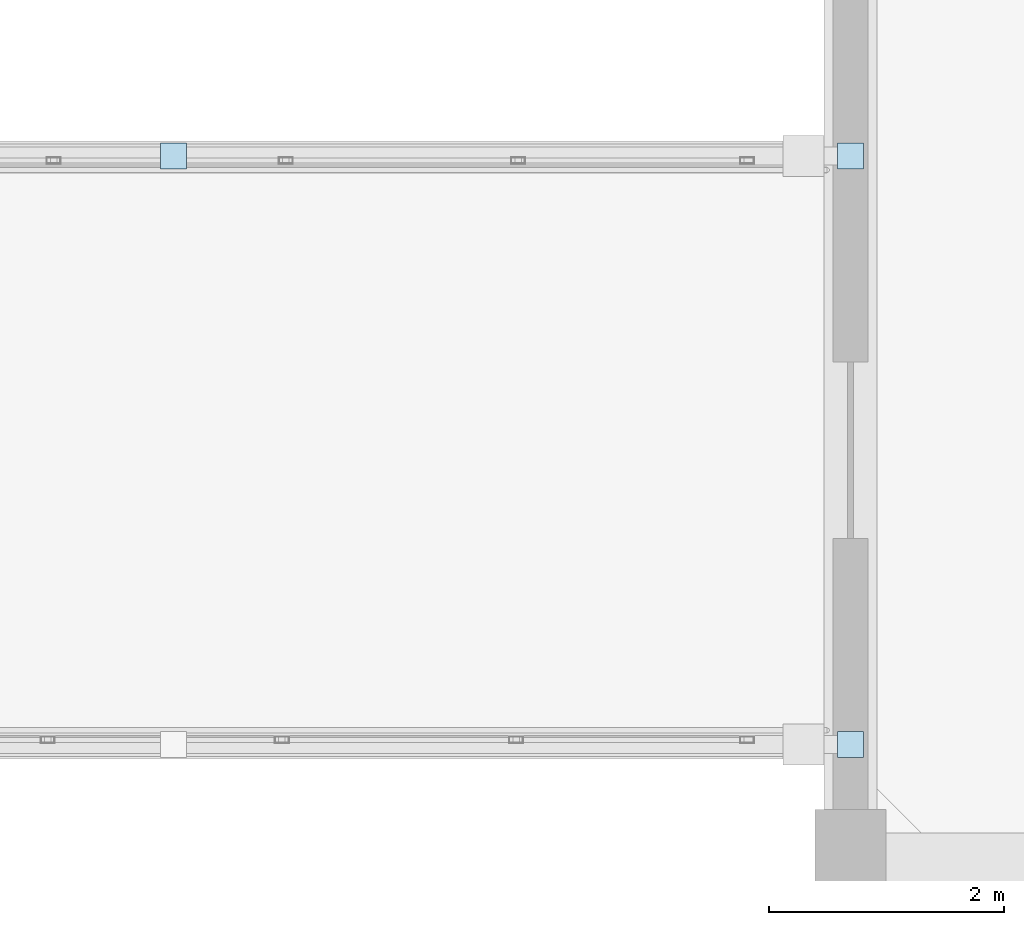
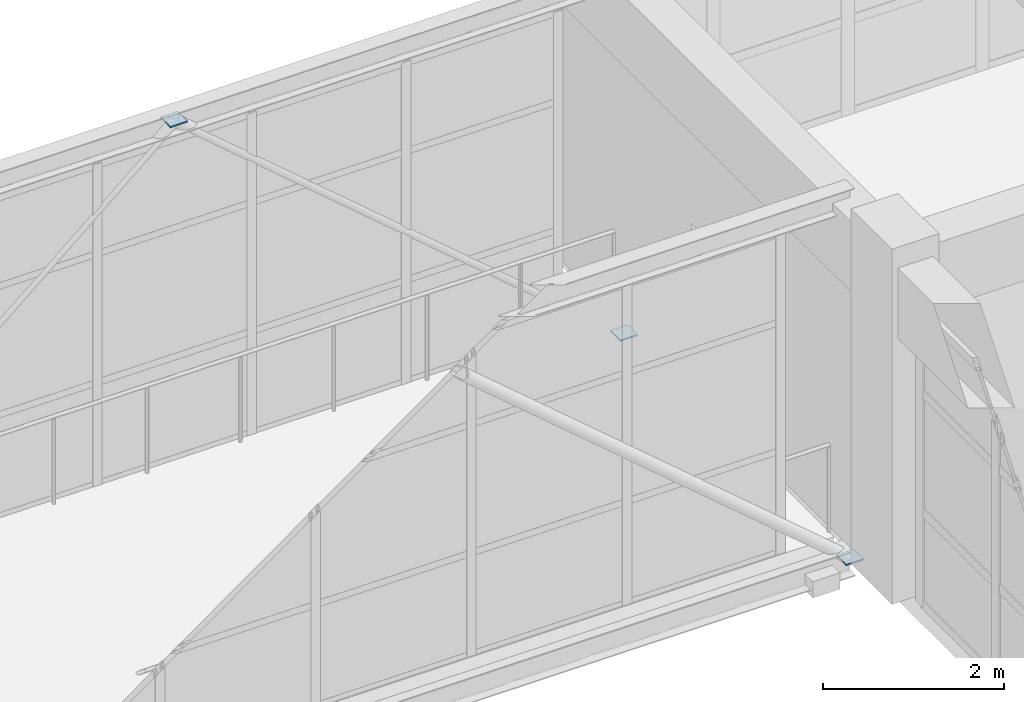
# One storey, part 220 of 248: 3 plates.
"""IFC4 building model written with IfcOpenShell, lengths in metres."""

from ifc_helpers import new_model, si_unit, direction, frame, origin, origin_2d, place, context, subcontext, project, spatial, rectangle, extrude, material, layer, layer_set, type_object, element, save


model = new_model("IFC4")

# Units and contexts
model_context = context("Model", 3, precision=1e-05, world=origin(), true_north=direction((0.0, 1.0)))
body_context = subcontext(model_context, "Body", "Model", "MODEL_VIEW")
ifc_project = project(units=[si_unit("LENGTHUNIT", "METRE"), si_unit("AREAUNIT", "SQUARE_METRE"), si_unit("VOLUMEUNIT", "CUBIC_METRE"), si_unit("PLANEANGLEUNIT", "RADIAN"), si_unit("MASSUNIT", "GRAM", prefix="KILO")], contexts=[model_context])

# Site, building, storey
site_placement = place(None, origin())
site = spatial("IfcSite", under=ifc_project, at=site_placement, CompositionType="ELEMENT")
building_placement = place(site_placement, origin())
building = spatial("IfcBuilding", under=site, at=building_placement, Name="Canggui Botanical Conservatory", CompositionType="ELEMENT")
storey_placement = place(building_placement, frame((0.0, 0.0, 5.39990234375)))
storey = spatial("IfcBuildingStorey", under=building, at=storey_placement, Name="L02", CompositionType="ELEMENT", Elevation=5.39990234375)

# Plates
ifc_material = material(Name="Steel Q355B", Category="steel")
ifc_layer = layer(ifc_material, 0.02001953125, Name="Steel Q355B", Category="steel")
ifc_layer_set = layer_set([ifc_layer], Name="Steel Q355B")
plate_type = type_object("IfcPlateType", Name="PLT-CAP-20", PredefinedType="USERDEFINED", material=ifc_layer_set)
for number, where, z_axis, x_axis, name in (
    (1, (130.0, 75.0, -0.35986328125), (0.0, 0.0, 1.0), (1.0, 0.0, 0.0), "CP-SB-04-WBM-0-9B-1"),
    (2, (124.25, 80.0, 4.5400390625), (0.0, 0.0, 1.0), (1.0, 0.0, 0.0), "CP-SB-04-WBM-1-9A-1"),
    (3, (130.0, 80.0, -0.35986328125), (0.0, 0.0, 1.0), (1.0, 0.0, 0.0), "CP-SB-04-WBM-1-9B-1"),
):
    element("IfcPlate", number, at=place(storey_placement, frame(where, z_axis=z_axis, x_axis=x_axis)), inside=storey, type_object=plate_type, Name=name, ObjectType="END CAP PLATE", PredefinedType="USERDEFINED", context=body_context, shape_type="SweptSolid", body=[
        extrude(rectangle(XDim=0.219970703125, YDim=0.219970703125, at=origin_2d()), origin(), (0.0, 0.0, 1.0), 0.02001953125),
    ])

save(model, "model.ifc")
